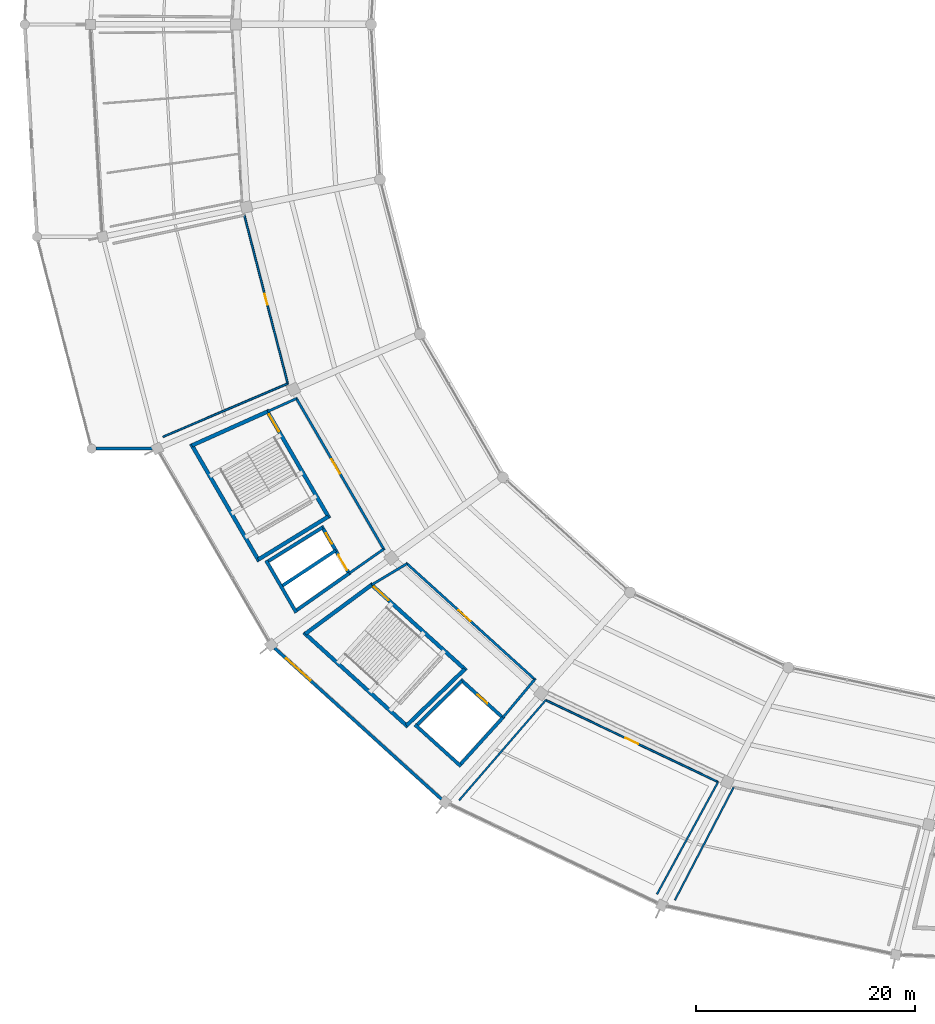
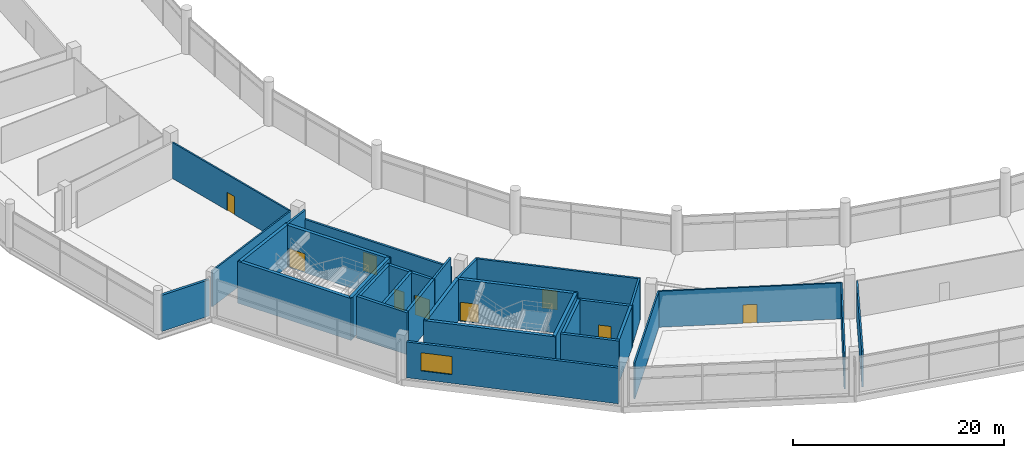
# One storey, part 144 of 184: 31 walls, 9 doors, 1 window, 10 openings.
"""IFC4 building model written with IfcOpenShell, lengths in metres."""

from ifc_helpers import new_model, si_unit, direction, frame, frame_2d, origin, place, context, subcontext, project, spatial, rectangle, extrude, material, layer, layer_set, type_object, element, fill, save


model = new_model("IFC4")

# Units and contexts
model_context = context("Model", 3, precision=1e-05, world=origin(), true_north=direction((0.0, 1.0)))
body_context = subcontext(model_context, "Body", "Model", "MODEL_VIEW")
ifc_project = project(units=[si_unit("LENGTHUNIT", "METRE"), si_unit("AREAUNIT", "SQUARE_METRE"), si_unit("VOLUMEUNIT", "CUBIC_METRE"), si_unit("PLANEANGLEUNIT", "RADIAN"), si_unit("MASSUNIT", "GRAM", prefix="KILO")], contexts=[model_context])

# Site, building, storey
site_placement = place(None, origin())
site = spatial("IfcSite", under=ifc_project, at=site_placement, CompositionType="ELEMENT")
building_placement = place(site_placement, origin())
building = spatial("IfcBuilding", under=site, at=building_placement, Name="Kazemori Nagisa Stadium", CompositionType="ELEMENT")
storey_placement = place(building_placement, frame((0.0, 0.0, 10.5400390625)))
storey = spatial("IfcBuildingStorey", under=building, at=storey_placement, Name="L02", CompositionType="ELEMENT", Elevation=10.5400390625)

# Wall, opening, door
ifc_material_1 = material(Name="Concrete C40/50 (Fc42)", Category="concrete")
ifc_layer_1 = layer(ifc_material_1, 0.35009765625, Name="Concrete C40/50 (Fc42)", Category="concrete")
ifc_layer_set_1 = layer_set([ifc_layer_1], Name="Concrete C40/50 (Fc42)")
wall_type_1 = type_object("IfcWallType", Name="Wall_W-CORE-350", PredefinedType="SHEAR", material=ifc_layer_set_1)
wall_1_placement = place(storey_placement, frame((44.090087890625, 66.78759765625, 0.0), z_axis=(0.0, 0.0, 1.0), x_axis=(0.501628624814, -0.865083072755, 0.0)))
wall_1 = element("IfcWall", 1, at=wall_1_placement, inside=storey, type_object=wall_type_1, Name="Core stair front shear wall ST09 L02", PredefinedType="SHEAR", context=body_context, shape_type="SweptSolid", body=[
    extrude(rectangle(XDim=11.435302734375, YDim=0.35009765625, at=frame_2d((5.7177734375, 0.0))), origin(), (0.0, 0.0, 1.0), 4.83984375),
])
opening_1_placement = place(wall_1_placement, frame((0.47509765625, 0.0, 0.0)))
opening_1 = element("IfcOpeningElement", 2, at=opening_1_placement, cuts=wall_1, Name="Opening D-ST-1800", PredefinedType="OPENING", context=body_context, shape_type="SweptSolid", body=[
    extrude(rectangle(XDim=1.800048828125, YDim=2.199951171875, at=frame_2d((0.89990234375, 1.10009765625))), frame((0.0, 0.18505859375, 0.0), z_axis=(0.0, -1.0, 0.0), x_axis=(1.0, 0.0, 0.0)), (0.0, 0.0, 1.0), 0.3701171875),
])
ifc_material_2 = material(Name="Galvanised steel sheet", Category="steel")
door_type_1 = type_object("IfcDoorType", Name="Door_D-ST-1800", OperationType="NOTDEFINED", PredefinedType="DOOR", material=ifc_material_2)
door_1_placement = place(opening_1_placement, frame((1.800048828125, 0.0, 0.0), z_axis=(0.0, 0.0, 1.0), x_axis=(-1.0, 0.0, 0.0)))
door_1 = element("IfcDoor", 3, at=door_1_placement, inside=storey, type_object=door_type_1, Name="Exit stair fire door ST09-L02", OperationType="SINGLE_SWING_LEFT", OverallHeight=2.199951171875, OverallWidth=1.800048828125, PredefinedType="DOOR", context=body_context, shape_type="SweptSolid", body=[
    extrude(rectangle(XDim=1.800048828125, YDim=2.199951171875, at=frame_2d((0.89990234375, 1.10009765625))), frame((0.0, 0.02490234375, 0.0), z_axis=(0.0, -1.0, 0.0), x_axis=(1.0, 0.0, 0.0)), (0.0, 0.0, 1.0), 0.050048828125),
])
fill(opening_1, door_1)

# Walls
wall_2_placement = place(storey_placement, frame((37.19775390625, 63.6953125, 0.0), z_axis=(0.0, 0.0, 1.0), x_axis=(0.501601740165, -0.865098661577, 0.0)))
element("IfcWall", 4, at=wall_2_placement, inside=storey, type_object=wall_type_1, Name="Core stair rear shear wall ST09 L02", PredefinedType="SHEAR", context=body_context, shape_type="SweptSolid", body=[
    extrude(rectangle(XDim=12.404541015625, YDim=0.35009765625, at=frame_2d((6.2021484375, 0.0))), origin(), (0.0, 0.0, 1.0), 4.83984375),
])
wall_3_placement = place(storey_placement, frame((44.177978515625, 66.63623046875, 0.0), z_axis=(0.0, 0.0, 1.0), x_axis=(-0.912385324524, -0.409332407212, 0.0)))
element("IfcWall", 5, at=wall_3_placement, inside=storey, type_object=wall_type_1, Name="Core stair left shear wall ST09 L02", PredefinedType="SHEAR", context=body_context, shape_type="SweptSolid", body=[
    extrude(rectangle(XDim=7.554443359375, YDim=0.35009765625, at=frame_2d((3.77734375, 0.0))), origin(), (0.0, 0.0, 1.0), 4.83984375),
])
wall_4_placement = place(storey_placement, frame((49.738525390625, 57.04638671875, 0.0), z_axis=(0.0, 0.0, 1.0), x_axis=(-0.852334575619, -0.522996913188, 0.0)))
element("IfcWall", 6, at=wall_4_placement, inside=storey, type_object=wall_type_1, Name="Core stair right shear wall ST09 L02", PredefinedType="SHEAR", context=body_context, shape_type="SweptSolid", body=[
    extrude(rectangle(XDim=7.51611328125, YDim=0.35009765625, at=frame_2d((3.758056640625, 0.0))), origin(), (0.0, 0.0, 1.0), 4.83984375),
])

# Wall, opening, door
wall_5_placement = place(storey_placement, frame((53.561279296875, 50.927978515625, 0.0), z_axis=(0.0, 0.0, 1.0), x_axis=(0.741358227035, -0.671109513572, 0.0)))
wall_5 = element("IfcWall", 7, at=wall_5_placement, inside=storey, type_object=wall_type_1, Name="Core stair front shear wall ST03 L02", PredefinedType="SHEAR", context=body_context, shape_type="SweptSolid", body=[
    extrude(rectangle(XDim=11.82666015625, YDim=0.35009765625, at=frame_2d((5.913330078125, 0.0))), origin(), (0.0, 0.0, 1.0), 4.83984375),
])
opening_2_placement = place(wall_5_placement, frame((0.47509765625, 0.0, 0.0)))
opening_2 = element("IfcOpeningElement", 8, at=opening_2_placement, cuts=wall_5, Name="Opening D-ST-1800", PredefinedType="OPENING", context=body_context, shape_type="SweptSolid", body=[
    extrude(rectangle(XDim=1.800048828125, YDim=2.199951171875, at=frame_2d((0.89990234375, 1.10009765625))), frame((0.0, 0.18505859375, 0.0), z_axis=(0.0, -1.0, 0.0), x_axis=(1.0, 0.0, 0.0)), (0.0, 0.0, 1.0), 0.3701171875),
])
door_2_placement = place(opening_2_placement, frame((1.800048828125, 0.0, 0.0), z_axis=(0.0, 0.0, 1.0), x_axis=(-1.0, 0.0, 0.0)))
door_2 = element("IfcDoor", 9, at=door_2_placement, inside=storey, type_object=door_type_1, Name="Exit stair fire door ST03-L02", OperationType="SINGLE_SWING_LEFT", OverallHeight=2.199951171875, OverallWidth=1.800048828125, PredefinedType="DOOR", context=body_context, shape_type="SweptSolid", body=[
    extrude(rectangle(XDim=1.800048828125, YDim=2.199951171875, at=frame_2d((0.89990234375, 1.10009765625))), frame((0.0, 0.02490234375, 0.0), z_axis=(0.0, -1.0, 0.0), x_axis=(1.0, 0.0, 0.0)), (0.0, 0.0, 1.0), 0.050048828125),
])
fill(opening_2, door_2)

# Walls
wall_6_placement = place(storey_placement, frame((47.500732421875, 46.451904296875, 0.0), z_axis=(0.0, 0.0, 1.0), x_axis=(0.741351373721, -0.671117084183, 0.0)))
element("IfcWall", 10, at=wall_6_placement, inside=storey, type_object=wall_type_1, Name="Core stair rear shear wall ST03 L02", PredefinedType="SHEAR", context=body_context, shape_type="SweptSolid", body=[
    extrude(rectangle(XDim=12.830322265625, YDim=0.35009765625, at=frame_2d((6.4150390625, 0.0))), origin(), (0.0, 0.0, 1.0), 4.83984375),
])
wall_7_placement = place(storey_placement, frame((53.691162109375, 50.810546875, 0.0), z_axis=(0.0, 0.0, 1.0), x_axis=(-0.804395625347, -0.594093997548, 0.0)))
element("IfcWall", 11, at=wall_7_placement, inside=storey, type_object=wall_type_1, Name="Core stair left shear wall ST03 L02", PredefinedType="SHEAR", context=body_context, shape_type="SweptSolid", body=[
    extrude(rectangle(XDim=7.5341796875, YDim=0.35009765625, at=frame_2d((3.76708984375, 0.0))), origin(), (0.0, 0.0, 1.0), 4.83984375),
])
wall_8_placement = place(storey_placement, frame((62.199462890625, 43.1083984375, 0.0), z_axis=(0.0, 0.0, 1.0), x_axis=(-0.718297398554, -0.69573619083, 0.0)))
element("IfcWall", 12, at=wall_8_placement, inside=storey, type_object=wall_type_1, Name="Core stair right shear wall ST03 L02", PredefinedType="SHEAR", context=body_context, shape_type="SweptSolid", body=[
    extrude(rectangle(XDim=7.40185546875, YDim=0.35009765625, at=frame_2d((3.700927734375, 0.0))), origin(), (0.0, 0.0, 1.0), 4.83984375),
])
ifc_material_3 = material(Name="Concrete C40/50 (Fc42) precast", Category="concrete")
ifc_layer_2 = layer(ifc_material_3, 0.27490234375, Name="Concrete C40/50 (Fc42) precast", Category="concrete")
ifc_layer_set_2 = layer_set([ifc_layer_2], Name="Concrete C40/50 (Fc42) precast")
wall_type_2 = type_object("IfcWallType", Name="Wall_W-EXT-275", PredefinedType="SOLIDWALL", material=ifc_layer_set_2)
wall_9_placement = place(storey_placement, frame((33.675048828125, 63.25048828125, 0.0), z_axis=(0.0, 0.0, 1.0), x_axis=(-1.0, 0.0, 0.0)))
element("IfcWall", 13, at=wall_9_placement, inside=storey, type_object=wall_type_2, Name="West grandstand return wall L02-S", PredefinedType="SOLIDWALL", context=body_context, shape_type="SweptSolid", body=[
    extrude(rectangle(XDim=5.179931640625, YDim=0.27490234375, at=frame_2d((2.58984375, 0.0))), origin(), (0.0, 0.0, 1.0), 4.18994140625),
])

# Wall, opening, window
wall_10_placement = place(storey_placement, frame((44.830810546875, 45.037109375, 0.0), z_axis=(0.0, 0.0, 1.0), x_axis=(0.741352367697, -0.671115986183, 0.0)))
wall_10 = element("IfcWall", 14, at=wall_10_placement, inside=storey, type_object=wall_type_2, Name="Exterior facade wall L02-18", PredefinedType="SOLIDWALL", context=body_context, shape_type="SweptSolid", body=[
    extrude(rectangle(XDim=20.56396484375, YDim=0.27490234375, at=frame_2d((10.281982421875, 0.0))), origin(), (0.0, 0.0, 1.0), 4.137939453125),
])
opening_3_placement = place(wall_10_placement, frame((1.39990234375, 0.0, 1.0)))
opening_3 = element("IfcOpeningElement", 15, at=opening_3_placement, cuts=wall_10, Name="Opening WIN-L02-3000", PredefinedType="OPENING", context=body_context, shape_type="SweptSolid", body=[
    extrude(rectangle(XDim=3.0, YDim=2.10009765625, at=frame_2d((1.5, 1.050048828125))), frame((0.0, 0.1474609375, 0.0), z_axis=(0.0, -1.0, 0.0), x_axis=(1.0, 0.0, 0.0)), (0.0, 0.0, 1.0), 0.294921875),
])
ifc_material_4 = material(Name="Low-e laminated double glazing", Category="glass")
window_type = type_object("IfcWindowType", Name="Window_WIN-L02-3000", PartitioningType="SINGLE_PANEL", PredefinedType="WINDOW", material=ifc_material_4)
window_placement = place(opening_3_placement, origin())
window = element("IfcWindow", 16, at=window_placement, inside=storey, type_object=window_type, Name="Core lobby window L02-18", OverallHeight=2.10009765625, OverallWidth=3.0, PartitioningType="SINGLE_PANEL", PredefinedType="WINDOW", context=body_context, shape_type="SweptSolid", body=[
    extrude(rectangle(XDim=3.0, YDim=2.10009765625, at=frame_2d((1.5, 1.050048828125))), frame((0.0, 0.030029296875, 0.0), z_axis=(0.0, -1.0, 0.0), x_axis=(1.0, 0.0, 0.0)), (0.0, 0.0, 1.0), 0.06005859375),
])
fill(opening_3, window)

# Wall, opening, door
ifc_material_5 = material(Name="Concrete C36/45 (Fc36)", Category="concrete")
ifc_layer_3 = layer(ifc_material_5, 0.219970703125, Name="Concrete C36/45 (Fc36)", Category="concrete")
ifc_layer_set_3 = layer_set([ifc_layer_3], Name="Concrete C36/45 (Fc36)")
wall_type_3 = type_object("IfcWallType", Name="Wall_W-LOBBY-220", PredefinedType="SOLIDWALL", material=ifc_layer_set_3)
wall_11_placement = place(storey_placement, frame((46.773681640625, 67.9208984375, 0.0), z_axis=(0.0, 0.0, 1.0), x_axis=(0.501612626242, -0.865092349518, 0.0)))
wall_11 = element("IfcWall", 17, at=wall_11_placement, inside=storey, type_object=wall_type_3, Name="Core lobby fire wall ST09 L02", PredefinedType="SOLIDWALL", context=body_context, shape_type="SweptSolid", body=[
    extrude(rectangle(XDim=16.110107421875, YDim=0.219970703125, at=frame_2d((8.05517578125, 0.0))), origin(), (0.0, 0.0, 1.0), 3.787841796875),
])
opening_4_placement = place(wall_11_placement, frame((6.510986328125, 0.0, 0.0)))
opening_4 = element("IfcOpeningElement", 18, at=opening_4_placement, cuts=wall_11, Name="Opening D-FFL-1500", PredefinedType="OPENING", context=body_context, shape_type="SweptSolid", body=[
    extrude(rectangle(XDim=1.5, YDim=2.199951171875, at=frame_2d((0.75, 1.10009765625))), frame((0.0, 0.119873046875, 0.0), z_axis=(0.0, -1.0, 0.0), x_axis=(1.0, 0.0, 0.0)), (0.0, 0.0, 1.0), 0.239990234375),
])
door_type_2 = type_object("IfcDoorType", Name="Door_D-FFL-1500", OperationType="NOTDEFINED", PredefinedType="DOOR", material=ifc_material_2)
door_3_placement = place(opening_4_placement, frame((1.5, 0.0, 0.0), z_axis=(0.0, 0.0, 1.0), x_axis=(-1.0, 0.0, 0.0)))
door_3 = element("IfcDoor", 19, at=door_3_placement, inside=storey, type_object=door_type_2, Name="Protected lobby fire door ST09-L02", OperationType="DOUBLE_DOOR_SINGLE_SWING", OverallHeight=2.199951171875, OverallWidth=1.5, PredefinedType="DOOR", context=body_context, shape_type="SweptSolid", body=[
    extrude(rectangle(XDim=1.5, YDim=2.199951171875, at=frame_2d((0.75, 1.10009765625))), frame((0.0, 0.02490234375, 0.0), z_axis=(0.0, -1.0, 0.0), x_axis=(1.0, 0.0, 0.0)), (0.0, 0.0, 1.0), 0.050048828125),
])
fill(opening_4, door_3)

# Walls
wall_12_placement = place(storey_placement, frame((46.8291015625, 67.82568359375, 0.0), z_axis=(0.0, 0.0, 1.0), x_axis=(-0.912378422162, -0.409347791949, 0.0)))
element("IfcWall", 20, at=wall_12_placement, inside=storey, type_object=wall_type_3, Name="Core lobby left wall ST09 L02", PredefinedType="SOLIDWALL", context=body_context, shape_type="SweptSolid", body=[
    extrude(rectangle(XDim=2.90576171875, YDim=0.219970703125, at=frame_2d((1.452880859375, 0.0))), origin(), (0.0, 0.0, 1.0), 4.83984375),
])
wall_13_placement = place(storey_placement, frame((54.799560546875, 54.0791015625, 0.0), z_axis=(0.0, 0.0, 1.0), x_axis=(-0.818225400643, -0.574897550649, 0.0)))
element("IfcWall", 21, at=wall_13_placement, inside=storey, type_object=wall_type_3, Name="Core lobby right wall ST09 L02", PredefinedType="SOLIDWALL", context=body_context, shape_type="SweptSolid", body=[
    extrude(rectangle(XDim=3.867919921875, YDim=0.219970703125, at=frame_2d((1.93408203125, 0.0))), origin(), (0.0, 0.0, 1.0), 4.83984375),
])

# Wall, opening, door
wall_14_placement = place(storey_placement, frame((56.833740234375, 52.8193359375, 0.0), z_axis=(0.0, 0.0, 1.0), x_axis=(0.741351035574, -0.671117457717, 0.0)))
wall_14 = element("IfcWall", 22, at=wall_14_placement, inside=storey, type_object=wall_type_3, Name="Core lobby fire wall ST03 L02", PredefinedType="SOLIDWALL", context=body_context, shape_type="SweptSolid", body=[
    extrude(rectangle(XDim=15.96923828125, YDim=0.219970703125, at=frame_2d((7.984619140625, 0.0))), origin(), (0.0, 0.0, 1.0), 4.83984375),
])
opening_5_placement = place(wall_14_placement, frame((6.447021484375, 0.0, 0.0)))
opening_5 = element("IfcOpeningElement", 23, at=opening_5_placement, cuts=wall_14, Name="Opening D-FFL-1500", PredefinedType="OPENING", context=body_context, shape_type="SweptSolid", body=[
    extrude(rectangle(XDim=1.5, YDim=2.199951171875, at=frame_2d((0.75, 1.10009765625))), frame((0.0, 0.119873046875, 0.0), z_axis=(0.0, -1.0, 0.0), x_axis=(1.0, 0.0, 0.0)), (0.0, 0.0, 1.0), 0.239990234375),
])
door_4_placement = place(opening_5_placement, frame((1.5, 0.0, 0.0), z_axis=(0.0, 0.0, 1.0), x_axis=(-1.0, 0.0, 0.0)))
door_4 = element("IfcDoor", 24, at=door_4_placement, inside=storey, type_object=door_type_2, Name="Protected lobby fire door ST03-L02", OperationType="DOUBLE_DOOR_SINGLE_SWING", OverallHeight=2.199951171875, OverallWidth=1.5, PredefinedType="DOOR", context=body_context, shape_type="SweptSolid", body=[
    extrude(rectangle(XDim=1.5, YDim=2.199951171875, at=frame_2d((0.75, 1.10009765625))), frame((0.0, 0.02490234375, 0.0), z_axis=(0.0, -1.0, 0.0), x_axis=(1.0, 0.0, 0.0)), (0.0, 0.0, 1.0), 0.050048828125),
])
fill(opening_5, door_4)

# Walls
wall_15_placement = place(storey_placement, frame((56.915283203125, 52.74560546875, 0.0), z_axis=(0.0, 0.0, 1.0), x_axis=(-0.857424171966, -0.514610327654, 0.0)))
element("IfcWall", 25, at=wall_15_placement, inside=storey, type_object=wall_type_3, Name="Core lobby left wall ST03 L02", PredefinedType="SOLIDWALL", context=body_context, shape_type="SweptSolid", body=[
    extrude(rectangle(XDim=3.76025390625, YDim=0.219970703125, at=frame_2d((1.880126953125, 0.0))), origin(), (0.0, 0.0, 1.0), 4.83984375),
])
wall_16_placement = place(storey_placement, frame((68.591064453125, 42.176025390625, 0.0), z_axis=(0.0, 0.0, 1.0), x_axis=(-0.640759627034, -0.767741558315, 0.0)))
element("IfcWall", 26, at=wall_16_placement, inside=storey, type_object=wall_type_3, Name="Core lobby right wall ST03 L02", PredefinedType="SOLIDWALL", context=body_context, shape_type="SweptSolid", body=[
    extrude(rectangle(XDim=4.549072265625, YDim=0.219970703125, at=frame_2d((2.2744140625, 0.0))), origin(), (0.0, 0.0, 1.0), 4.83984375),
])

# Wall, opening, door
ifc_material_6 = material(Name="Gypsum plasterboard", Category="gypsum")
ifc_layer_4 = layer(ifc_material_6, 0.1650390625, Name="Gypsum plasterboard", Category="gypsum")
ifc_layer_set_4 = layer_set([ifc_layer_4], Name="Gypsum plasterboard")
wall_type_4 = type_object("IfcWallType", Name="Wall_W-PART-165", PredefinedType="PARTITIONING", material=ifc_layer_set_4)
wall_17_placement = place(storey_placement, frame((42.0595703125, 84.571533203125, 0.0), z_axis=(0.0, 0.0, 1.0), x_axis=(0.249970043824, -0.968253570709, 0.0)))
wall_17 = element("IfcWall", 27, at=wall_17_placement, inside=storey, type_object=wall_type_4, Name="Room corridor partition L02-B16", PredefinedType="PARTITIONING", context=body_context, shape_type="SweptSolid", body=[
    extrude(rectangle(XDim=15.88671875, YDim=0.1650390625, at=frame_2d((7.943359375, 0.0))), origin(), (0.0, 0.0, 1.0), 4.159912109375),
])
opening_6_placement = place(wall_17_placement, frame((7.43310546875, 0.0, 0.0)))
opening_6 = element("IfcOpeningElement", 28, at=opening_6_placement, cuts=wall_17, Name="Opening D-STR-1020", PredefinedType="OPENING", context=body_context, shape_type="SweptSolid", body=[
    extrude(rectangle(XDim=1.02001953125, YDim=2.10009765625, at=frame_2d((0.510009765625, 1.050048828125))), frame((0.0, 0.092529296875, 0.0), z_axis=(0.0, -1.0, 0.0), x_axis=(1.0, 0.0, 0.0)), (0.0, 0.0, 1.0), 0.18505859375),
])
ifc_material_7 = material(Name="Powder-coated steel sheet", Category="steel")
door_type_3 = type_object("IfcDoorType", Name="Door_D-STR-1020", OperationType="NOTDEFINED", PredefinedType="DOOR", material=ifc_material_7)
door_5_placement = place(opening_6_placement, origin())
door_5 = element("IfcDoor", 29, at=door_5_placement, inside=storey, type_object=door_type_3, Name="Room entrance door D-STR-1020 L02-B16", OperationType="SINGLE_SWING_RIGHT", OverallHeight=2.10009765625, OverallWidth=1.02001953125, PredefinedType="DOOR", context=body_context, shape_type="SweptSolid", body=[
    extrude(rectangle(XDim=1.02001953125, YDim=2.10009765625, at=frame_2d((0.510009765625, 1.050048828125))), frame((0.0, 0.02490234375, 0.0), z_axis=(0.0, -1.0, 0.0), x_axis=(1.0, 0.0, 0.0)), (0.0, 0.0, 1.0), 0.050048828125),
])
fill(opening_6, door_5)

# Wall
wall_18_placement = place(storey_placement, frame((46.03076171875, 69.189208984375, 0.0), z_axis=(0.0, 0.0, 1.0), x_axis=(-0.919905328402, -0.392140519173, 0.0)))
element("IfcWall", 30, at=wall_18_placement, inside=storey, type_object=wall_type_4, Name="Room radial partition L02-B16-R", PredefinedType="PARTITIONING", context=body_context, shape_type="SweptSolid", body=[
    extrude(rectangle(XDim=12.395751953125, YDim=0.1650390625, at=frame_2d((6.19775390625, 0.0))), origin(), (0.0, 0.0, 1.0), 4.159912109375),
])

# Wall, opening, door
wall_19_placement = place(storey_placement, frame((69.599365234375, 40.280029296875, 0.0), z_axis=(0.0, 0.0, 1.0), x_axis=(0.903217202186, -0.429183743488, 0.0)))
wall_19 = element("IfcWall", 31, at=wall_19_placement, inside=storey, type_object=wall_type_4, Name="Room corridor partition L02-B19", PredefinedType="PARTITIONING", context=body_context, shape_type="SweptSolid", body=[
    extrude(rectangle(XDim=17.419189453125, YDim=0.1650390625, at=frame_2d((8.70947265625, 0.0))), origin(), (0.0, 0.0, 1.0), 4.159912109375),
])
opening_7_placement = place(wall_19_placement, frame((8.06005859375, 0.0, 0.0)))
opening_7 = element("IfcOpeningElement", 32, at=opening_7_placement, cuts=wall_19, Name="Opening D-KIT-1300", PredefinedType="OPENING", context=body_context, shape_type="SweptSolid", body=[
    extrude(rectangle(XDim=1.300048828125, YDim=2.14990234375, at=frame_2d((0.64990234375, 1.074951171875))), frame((0.0, 0.092529296875, 0.0), z_axis=(0.0, -1.0, 0.0), x_axis=(1.0, 0.0, 0.0)), (0.0, 0.0, 1.0), 0.18505859375),
])
ifc_material_8 = material(Name="Stainless steel SUS304", Category="steel")
door_type_4 = type_object("IfcDoorType", Name="Door_D-KIT-1300", OperationType="NOTDEFINED", PredefinedType="DOOR", material=ifc_material_8)
door_6_placement = place(opening_7_placement, origin())
door_6 = element("IfcDoor", 33, at=door_6_placement, inside=storey, type_object=door_type_4, Name="Room entrance door D-KIT-1300 L02-B19", OperationType="SINGLE_SWING_LEFT", OverallHeight=2.14990234375, OverallWidth=1.300048828125, PredefinedType="DOOR", context=body_context, shape_type="SweptSolid", body=[
    extrude(rectangle(XDim=1.300048828125, YDim=2.14990234375, at=frame_2d((0.64990234375, 1.074951171875))), frame((0.0, 0.02490234375, 0.0), z_axis=(0.0, -1.0, 0.0), x_axis=(1.0, 0.0, 0.0)), (0.0, 0.0, 1.0), 0.050048828125),
])
fill(opening_7, door_6)

# Walls
wall_20_placement = place(storey_placement, frame((69.599365234375, 40.280029296875, 0.0), z_axis=(0.0, 0.0, 1.0), x_axis=(-0.654293035882, -0.756241114458, 0.0)))
element("IfcWall", 34, at=wall_20_placement, inside=storey, type_object=wall_type_4, Name="Room radial partition L02-B19-L", PredefinedType="PARTITIONING", context=body_context, shape_type="SweptSolid", body=[
    extrude(rectangle(XDim=12.091064453125, YDim=0.1650390625, at=frame_2d((6.04541015625, 0.0))), origin(), (0.0, 0.0, 1.0), 4.159912109375),
])
wall_21_placement = place(storey_placement, frame((85.332763671875, 32.803955078125, 0.0), z_axis=(0.0, 0.0, 1.0), x_axis=(-0.478125060974, -0.878291765912, 0.0)))
element("IfcWall", 35, at=wall_21_placement, inside=storey, type_object=wall_type_4, Name="Room radial partition L02-B19-R", PredefinedType="PARTITIONING", context=body_context, shape_type="SweptSolid", body=[
    extrude(rectangle(XDim=11.671875, YDim=0.1650390625, at=frame_2d((5.8359375, 0.0))), origin(), (0.0, 0.0, 1.0), 4.159912109375),
])
wall_22_placement = place(storey_placement, frame((86.755615234375, 32.322509765625, 0.0), z_axis=(0.0, 0.0, 1.0), x_axis=(-0.46148287956, -0.88714911479, 0.0)))
element("IfcWall", 36, at=wall_22_placement, inside=storey, type_object=wall_type_4, Name="Room radial partition L02-B20-L", PredefinedType="PARTITIONING", context=body_context, shape_type="SweptSolid", body=[
    extrude(rectangle(XDim=11.635498046875, YDim=0.1650390625, at=frame_2d((5.81787109375, 0.0))), origin(), (0.0, 0.0, 1.0), 4.159912109375),
])

# Wall, openings, doors
ifc_layer_5 = layer(ifc_material_1, 0.300048828125, Name="Concrete C40/50 (Fc42)", Category="concrete")
ifc_layer_set_5 = layer_set([ifc_layer_5], Name="Concrete C40/50 (Fc42)")
wall_type_5 = type_object("IfcWallType", Name="Wall_W-SHAFT-300", PredefinedType="SHEAR", material=ifc_layer_set_5)
wall_23_placement = place(storey_placement, frame((49.123046875, 56.1875, 0.0), z_axis=(0.0, 0.0, 1.0), x_axis=(0.501629534056, -0.86508254552, 0.0)))
wall_23 = element("IfcWall", 37, at=wall_23_placement, inside=storey, type_object=wall_type_5, Name="Lift shaft front wall LP7 L02", PredefinedType="SHEAR", context=body_context, shape_type="SweptSolid", body=[
    extrude(rectangle(XDim=5.157470703125, YDim=0.300048828125, at=frame_2d((2.57861328125, 0.0))), origin(), (0.0, 0.0, 1.0), 4.83984375),
])
opening_8_placement = place(wall_23_placement, frame((0.76611328125, 0.0, 0.0)))
opening_8 = element("IfcOpeningElement", 38, at=opening_8_placement, cuts=wall_23, Name="Opening LD-PAX", PredefinedType="OPENING", context=body_context, shape_type="SweptSolid", body=[
    extrude(rectangle(XDim=1.10009765625, YDim=2.199951171875, at=frame_2d((0.550048828125, 1.10009765625))), frame((0.0, 0.159912109375, 0.0), z_axis=(0.0, -1.0, 0.0), x_axis=(1.0, 0.0, 0.0)), (0.0, 0.0, 1.0), 0.320068359375),
])
opening_9_placement = place(wall_23_placement, frame((3.0419921875, 0.0, 0.0)))
opening_9 = element("IfcOpeningElement", 39, at=opening_9_placement, cuts=wall_23, Name="Opening LD-GDS", PredefinedType="OPENING", context=body_context, shape_type="SweptSolid", body=[
    extrude(rectangle(XDim=1.60009765625, YDim=2.300048828125, at=frame_2d((0.800048828125, 1.14990234375))), frame((0.0, 0.159912109375, 0.0), z_axis=(0.0, -1.0, 0.0), x_axis=(1.0, 0.0, 0.0)), (0.0, 0.0, 1.0), 0.320068359375),
])
door_type_5 = type_object("IfcDoorType", Name="Door_LD-GDS", OperationType="SLIDING_TO_LEFT", PredefinedType="DOOR", material=ifc_material_8)
door_7_placement = place(opening_9_placement, origin())
door_7 = element("IfcDoor", 40, at=door_7_placement, inside=storey, type_object=door_type_5, Name="Lift landing door LG2-L02", OperationType="SLIDING_TO_LEFT", OverallHeight=2.300048828125, OverallWidth=1.60009765625, PredefinedType="DOOR", context=body_context, shape_type="SweptSolid", body=[
    extrude(rectangle(XDim=1.60009765625, YDim=2.300048828125, at=frame_2d((0.800048828125, 1.14990234375))), frame((0.0, 0.02490234375, 0.0), z_axis=(0.0, -1.0, 0.0), x_axis=(1.0, 0.0, 0.0)), (0.0, 0.0, 1.0), 0.050048828125),
])
fill(opening_9, door_7)
door_type_6 = type_object("IfcDoorType", Name="Door_LD-PAX", OperationType="SLIDING_TO_RIGHT", PredefinedType="DOOR", material=ifc_material_8)
door_8_placement = place(opening_8_placement, origin())
door_8 = element("IfcDoor", 41, at=door_8_placement, inside=storey, type_object=door_type_6, Name="Lift landing door LP7-L02", OperationType="SLIDING_TO_RIGHT", OverallHeight=2.199951171875, OverallWidth=1.10009765625, PredefinedType="DOOR", context=body_context, shape_type="SweptSolid", body=[
    extrude(rectangle(XDim=1.10009765625, YDim=2.199951171875, at=frame_2d((0.550048828125, 1.10009765625))), frame((0.0, 0.02490234375, 0.0), z_axis=(0.0, -1.0, 0.0), x_axis=(1.0, 0.0, 0.0)), (0.0, 0.0, 1.0), 0.050048828125),
])
fill(opening_8, door_8)

# Walls
wall_24_placement = place(storey_placement, frame((44.05029296875, 53.029541015625, 0.0), z_axis=(0.0, 0.0, 1.0), x_axis=(0.501596987756, -0.865101417103, 0.0)))
element("IfcWall", 42, at=wall_24_placement, inside=storey, type_object=wall_type_5, Name="Lift shaft B wall LP7 L02", PredefinedType="SHEAR", context=body_context, shape_type="SweptSolid", body=[
    extrude(rectangle(XDim=5.4912109375, YDim=0.300048828125, at=frame_2d((2.74560546875, 0.0))), origin(), (0.0, 0.0, 1.0), 4.83984375),
])
wall_25_placement = place(storey_placement, frame((49.1982421875, 56.0576171875, 0.0), z_axis=(0.0, 0.0, 1.0), x_axis=(-0.848938067893, -0.528492343257, 0.0)))
element("IfcWall", 43, at=wall_25_placement, inside=storey, type_object=wall_type_5, Name="Lift shaft L wall LP7 L02", PredefinedType="SHEAR", context=body_context, shape_type="SweptSolid", body=[
    extrude(rectangle(XDim=5.975341796875, YDim=0.300048828125, at=frame_2d((2.98779296875, 0.0))), origin(), (0.0, 0.0, 1.0), 4.83984375),
])
wall_26_placement = place(storey_placement, frame((51.634765625, 51.85546875, 0.0), z_axis=(0.0, 0.0, 1.0), x_axis=(-0.818205158105, -0.574926359851, 0.0)))
element("IfcWall", 44, at=wall_26_placement, inside=storey, type_object=wall_type_5, Name="Lift shaft R wall LP7 L02", PredefinedType="SHEAR", context=body_context, shape_type="SweptSolid", body=[
    extrude(rectangle(XDim=5.9951171875, YDim=0.300048828125, at=frame_2d((2.99755859375, 0.0))), origin(), (0.0, 0.0, 1.0), 4.83984375),
])
wall_27_placement = place(storey_placement, frame((50.41650390625, 53.95654296875, 0.0), z_axis=(0.0, 0.0, 1.0), x_axis=(-0.833878900042, -0.551947443209, 0.0)))
element("IfcWall", 45, at=wall_27_placement, inside=storey, type_object=wall_type_5, Name="Lift shaft divider wall LP7-LG2 L02", PredefinedType="SHEAR", context=body_context, shape_type="SweptSolid", body=[
    extrude(rectangle(XDim=5.98291015625, YDim=0.300048828125, at=frame_2d((2.991455078125, 0.0))), origin(), (0.0, 0.0, 1.0), 4.83984375),
])

# Wall, opening, door
wall_28_placement = place(storey_placement, frame((61.8369140625, 42.159423828125, 0.0), z_axis=(0.0, 0.0, 1.0), x_axis=(0.741350155641, -0.671118429736, 0.0)))
wall_28 = element("IfcWall", 46, at=wall_28_placement, inside=storey, type_object=wall_type_5, Name="Lift shaft front wall FL3 L02", PredefinedType="SHEAR", context=body_context, shape_type="SweptSolid", body=[
    extrude(rectangle(XDim=5.3291015625, YDim=0.300048828125, at=frame_2d((2.66455078125, 0.0))), origin(), (0.0, 0.0, 1.0), 4.83984375),
])
opening_10_placement = place(wall_28_placement, frame((2.06494140625, 0.0, 0.0)))
opening_10 = element("IfcOpeningElement", 47, at=opening_10_placement, cuts=wall_28, Name="Opening LD-FF", PredefinedType="OPENING", context=body_context, shape_type="SweptSolid", body=[
    extrude(rectangle(XDim=1.199951171875, YDim=2.199951171875, at=frame_2d((0.60009765625, 1.10009765625))), frame((0.0, 0.159912109375, 0.0), z_axis=(0.0, -1.0, 0.0), x_axis=(1.0, 0.0, 0.0)), (0.0, 0.0, 1.0), 0.320068359375),
])
door_type_7 = type_object("IfcDoorType", Name="Door_LD-FF", OperationType="SLIDING_TO_LEFT", PredefinedType="DOOR", material=ifc_material_8)
door_9_placement = place(opening_10_placement, origin())
door_9 = element("IfcDoor", 48, at=door_9_placement, inside=storey, type_object=door_type_7, Name="Lift landing door FL3-L02", OperationType="SLIDING_TO_LEFT", OverallHeight=2.199951171875, OverallWidth=1.199951171875, PredefinedType="DOOR", context=body_context, shape_type="SweptSolid", body=[
    extrude(rectangle(XDim=1.199951171875, YDim=2.199951171875, at=frame_2d((0.60009765625, 1.10009765625))), frame((0.0, 0.02490234375, 0.0), z_axis=(0.0, -1.0, 0.0), x_axis=(1.0, 0.0, 0.0)), (0.0, 0.0, 1.0), 0.050048828125),
])
fill(opening_10, door_9)

# Walls
wall_29_placement = place(storey_placement, frame((57.640380859375, 38.039306640625, 0.0), z_axis=(0.0, 0.0, 1.0), x_axis=(0.74134208775, -0.671127341815, 0.0)))
element("IfcWall", 49, at=wall_29_placement, inside=storey, type_object=wall_type_5, Name="Lift shaft B wall FL3 L02", PredefinedType="SHEAR", context=body_context, shape_type="SweptSolid", body=[
    extrude(rectangle(XDim=5.674560546875, YDim=0.300048828125, at=frame_2d((2.83740234375, 0.0))), origin(), (0.0, 0.0, 1.0), 4.83984375),
])
wall_30_placement = place(storey_placement, frame((61.947998046875, 42.058837890625, 0.0), z_axis=(0.0, 0.0, 1.0), x_axis=(-0.713553028001, -0.700601224828, 0.0)))
element("IfcWall", 50, at=wall_30_placement, inside=storey, type_object=wall_type_5, Name="Lift shaft L wall FL3 L02", PredefinedType="SHEAR", context=body_context, shape_type="SweptSolid", body=[
    extrude(rectangle(XDim=5.881103515625, YDim=0.300048828125, at=frame_2d((2.9404296875, 0.0))), origin(), (0.0, 0.0, 1.0), 4.83984375),
])
wall_31_placement = place(storey_placement, frame((65.67626953125, 38.68359375, 0.0), z_axis=(0.0, 0.0, 1.0), x_axis=(-0.67115829282, -0.741314067031, 0.0)))
element("IfcWall", 51, at=wall_31_placement, inside=storey, type_object=wall_type_5, Name="Lift shaft R wall FL3 L02", PredefinedType="SHEAR", context=body_context, shape_type="SweptSolid", body=[
    extrude(rectangle(XDim=5.87060546875, YDim=0.300048828125, at=frame_2d((2.935302734375, 0.0))), origin(), (0.0, 0.0, 1.0), 4.83984375),
])

save(model, "model.ifc")
